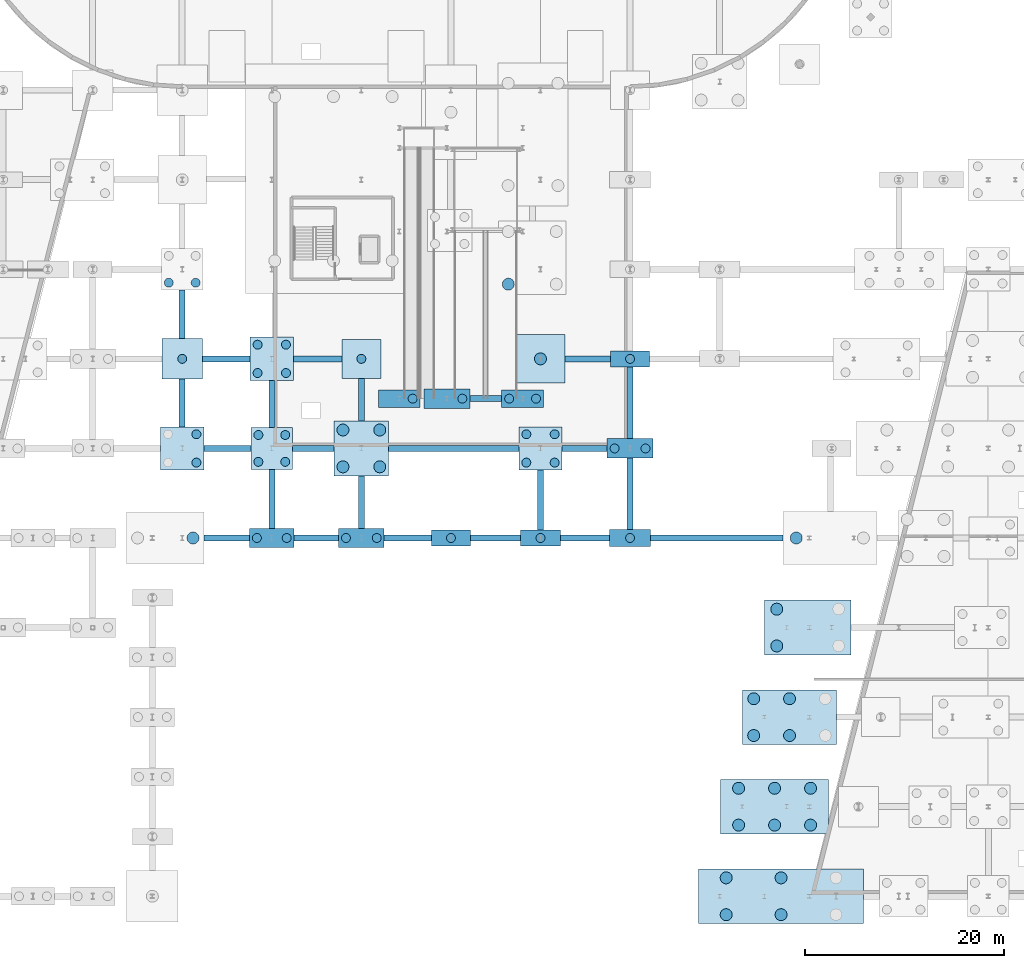
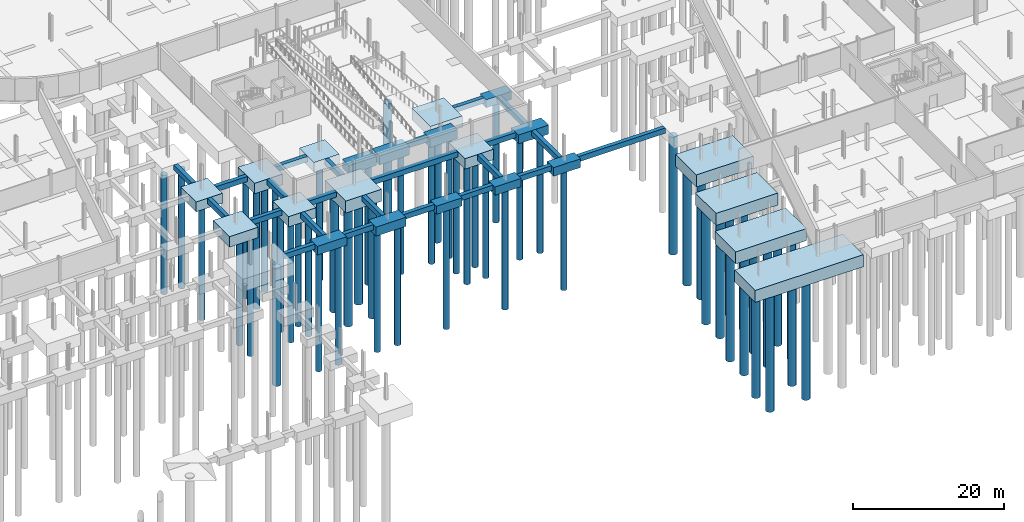
# One storey, part 3 of 42: 56 piles, 45 footings.
"""IFC4 building model written with IfcOpenShell, lengths in metres."""

from ifc_helpers import new_model, si_unit, direction, frame, origin, origin_2d, place, context, subcontext, project, spatial, rectangle, circle, extrude, material, material_profile, profile_set, type_object, element, save


model = new_model("IFC4")

# Units and contexts
model_context = context("Model", 3, precision=1e-05, world=origin(), true_north=direction((0.0, 1.0)))
body_context = subcontext(model_context, "Body", "Model", "MODEL_VIEW")
ifc_project = project(units=[si_unit("LENGTHUNIT", "METRE"), si_unit("AREAUNIT", "SQUARE_METRE"), si_unit("VOLUMEUNIT", "CUBIC_METRE"), si_unit("PLANEANGLEUNIT", "RADIAN"), si_unit("MASSUNIT", "GRAM", prefix="KILO")], contexts=[model_context])

# Site, building, storey
site_placement = place(None, origin())
site = spatial("IfcSite", under=ifc_project, at=site_placement, CompositionType="ELEMENT")
building_placement = place(site_placement, origin())
building = spatial("IfcBuilding", under=site, at=building_placement, Name="Deido Ridge Mobility Hub", CompositionType="ELEMENT")
storey_placement = place(building_placement, frame((0.0, 0.0, -4.199951171875)))
storey = spatial("IfcBuildingStorey", under=building, at=storey_placement, Name="B1", CompositionType="ELEMENT", Elevation=-4.199951171875)

# Footings
ifc_material = material(Name="Concrete C40/50", Category="concrete")
footing_type_1 = type_object("IfcFootingType", Name="FTG-PC-10850X5500X1950", PredefinedType="PILE_CAP", material=ifc_material)
footing_1_placement = place(storey_placement, frame((122.52490234375, 9.0, -1.9501953125), z_axis=(0.0, 0.0, 1.0), x_axis=(1.0, 0.0, 0.0)))
element("IfcFooting", 1, at=footing_1_placement, inside=storey, type_object=footing_type_1, Name="Pile cap PC29", PredefinedType="PILE_CAP", context=body_context, shape_type="SweptSolid", body=[
    extrude(rectangle(XDim=10.85009765625, YDim=5.5, at=origin_2d()), origin(), (0.0, 0.0, 1.0), 1.949951171875),
])
footing_type_2 = type_object("IfcFootingType", Name="FTG-PC-16550X5500X1950", PredefinedType="PILE_CAP", material=ifc_material)
footing_2_placement = place(storey_placement, frame((123.175048828125, 0.0, -1.9501953125), z_axis=(0.0, 0.0, 1.0), x_axis=(1.0, 0.0, 0.0)))
element("IfcFooting", 2, at=footing_2_placement, inside=storey, type_object=footing_type_2, Name="Pile cap PC27", PredefinedType="PILE_CAP", context=body_context, shape_type="SweptSolid", body=[
    extrude(rectangle(XDim=16.550048828125, YDim=5.5, at=origin_2d()), origin(), (0.0, 0.0, 1.0), 1.949951171875),
])
footing_type_3 = type_object("IfcFootingType", Name="FTG-PC-3900X1600X1300", PredefinedType="PILE_CAP", material=ifc_material)
for number, where, z_axis, x_axis, name in (
    (3, (108.0, 54.0, -1.30029296875), (0.0, 0.0, 1.0), (1.0, 0.0, 0.0), "Pile cap PC1"),
    (4, (90.0, 36.0, -1.30029296875), (0.0, 0.0, 1.0), (1.0, 0.0, 0.0), "Pile cap PC1"),
):
    element("IfcFooting", number, at=place(storey_placement, frame(where, z_axis=z_axis, x_axis=x_axis)), inside=storey, type_object=footing_type_3, Name=name, PredefinedType="PILE_CAP", context=body_context, shape_type="SweptSolid", body=[
        extrude(rectangle(XDim=3.89990234375, YDim=1.60009765625, at=origin_2d()), origin(), (0.0, 0.0, 1.0), 1.300048828125),
    ])
footing_type_4 = type_object("IfcFootingType", Name="FTG-PC-3900X3900X1550", PredefinedType="PILE_CAP", material=ifc_material)
footing_3_placement = place(storey_placement, frame((81.0, 54.0, -1.55029296875), z_axis=(0.0, 0.0, 1.0), x_axis=(1.0, 0.0, 0.0)))
element("IfcFooting", 5, at=footing_3_placement, inside=storey, type_object=footing_type_4, Name="Pile cap PC12", PredefinedType="PILE_CAP", context=body_context, shape_type="SweptSolid", body=[
    extrude(rectangle(XDim=3.89990234375, YDim=3.89990234375, at=origin_2d()), origin(), (0.0, 0.0, 1.0), 1.550048828125),
])
footing_type_5 = type_object("IfcFootingType", Name="FTG-PC-4000X1650X1350", PredefinedType="PILE_CAP", material=ifc_material)
footing_4_placement = place(storey_placement, frame((99.0, 36.0, -1.35009765625), z_axis=(0.0, 0.0, 1.0), x_axis=(1.0, 0.0, 0.0)))
element("IfcFooting", 6, at=footing_4_placement, inside=storey, type_object=footing_type_5, Name="Pile cap PC2", PredefinedType="PILE_CAP", context=body_context, shape_type="SweptSolid", body=[
    extrude(rectangle(XDim=4.0, YDim=1.64990234375, at=origin_2d()), origin(), (0.0, 0.0, 1.0), 1.35009765625),
])
footing_type_6 = type_object("IfcFootingType", Name="FTG-PC-4050X4050X1600", PredefinedType="PILE_CAP", material=ifc_material)
footing_5_placement = place(storey_placement, frame((63.0, 54.0, -1.60009765625), z_axis=(0.0, 0.0, 1.0), x_axis=(1.0, 0.0, 0.0)))
element("IfcFooting", 7, at=footing_5_placement, inside=storey, type_object=footing_type_6, Name="Pile cap PC13", PredefinedType="PILE_CAP", context=body_context, shape_type="SweptSolid", body=[
    extrude(rectangle(XDim=4.050048828125, YDim=4.050048828125, at=origin_2d()), origin(), (0.0, 0.0, 1.0), 1.60009765625),
])
footing_type_7 = type_object("IfcFootingType", Name="FTG-PC-4100X1700X1400", PredefinedType="PILE_CAP", material=ifc_material)
footing_6_placement = place(storey_placement, frame((108.0, 36.0, -1.39990234375), z_axis=(0.0, 0.0, 1.0), x_axis=(1.0, 0.0, 0.0)))
element("IfcFooting", 8, at=footing_6_placement, inside=storey, type_object=footing_type_7, Name="Pile cap PC3", PredefinedType="PILE_CAP", context=body_context, shape_type="SweptSolid", body=[
    extrude(rectangle(XDim=4.10009765625, YDim=1.699951171875, at=origin_2d()), origin(), (0.0, 0.0, 1.0), 1.39990234375),
])
footing_type_8 = type_object("IfcFootingType", Name="FTG-PC-4200X1750X1450", PredefinedType="PILE_CAP", material=ifc_material)
for number, where, z_axis, x_axis, name in (
    (9, (84.800048828125, 50.0, -1.4501953125), (0.0, 0.0, 1.0), (1.0, 0.0, 0.0), "Pile cap PC4"),
    (10, (97.199951171875, 50.0, -1.4501953125), (0.0, 0.0, 1.0), (1.0, 0.0, 0.0), "Pile cap PC4"),
):
    element("IfcFooting", number, at=place(storey_placement, frame(where, z_axis=z_axis, x_axis=x_axis)), inside=storey, type_object=footing_type_8, Name=name, PredefinedType="PILE_CAP", context=body_context, shape_type="SweptSolid", body=[
        extrude(rectangle(XDim=4.199951171875, YDim=1.75, at=origin_2d()), origin(), (0.0, 0.0, 1.0), 1.449951171875),
    ])
footing_type_9 = type_object("IfcFootingType", Name="FTG-PC-4200X4200X1650", PredefinedType="PILE_CAP", material=ifc_material)
footing_7_placement = place(storey_placement, frame((72.0, 45.0, -1.64990234375), z_axis=(0.0, 0.0, 1.0), x_axis=(1.0, 0.0, 0.0)))
element("IfcFooting", 11, at=footing_7_placement, inside=storey, type_object=footing_type_9, Name="Pile cap PC14", PredefinedType="PILE_CAP", context=body_context, shape_type="SweptSolid", body=[
    extrude(rectangle(XDim=4.199951171875, YDim=4.199951171875, at=origin_2d()), origin(), (0.0, 0.0, 1.0), 1.64990234375),
])
footing_type_10 = type_object("IfcFootingType", Name="FTG-PC-4350X4350X1700", PredefinedType="PILE_CAP", material=ifc_material)
for number, where, z_axis, x_axis, name in (
    (12, (72.0, 54.0, -1.7001953125), (0.0, 0.0, 1.0), (1.0, 0.0, 0.0), "Pile cap PC15"),
    (13, (99.0, 45.0, -1.7001953125), (0.0, 0.0, 1.0), (1.0, 0.0, 0.0), "Pile cap PC15"),
    (14, (63.0, 45.0, -1.7001953125), (0.0, 0.0, 1.0), (1.0, 0.0, 0.0), "Pile cap PC15"),
):
    element("IfcFooting", number, at=place(storey_placement, frame(where, z_axis=z_axis, x_axis=x_axis)), inside=storey, type_object=footing_type_10, Name=name, PredefinedType="PILE_CAP", context=body_context, shape_type="SweptSolid", body=[
        extrude(rectangle(XDim=4.35009765625, YDim=4.35009765625, at=origin_2d()), origin(), (0.0, 0.0, 1.0), 1.699951171875),
    ])
footing_type_11 = type_object("IfcFootingType", Name="FTG-PC-4500X1900X1400", PredefinedType="PILE_CAP", material=ifc_material)
footing_8_placement = place(storey_placement, frame((72.0, 36.0, -1.39990234375), z_axis=(0.0, 0.0, 1.0), x_axis=(1.0, 0.0, 0.0)))
element("IfcFooting", 15, at=footing_8_placement, inside=storey, type_object=footing_type_11, Name="Pile cap PC7", PredefinedType="PILE_CAP", context=body_context, shape_type="SweptSolid", body=[
    extrude(rectangle(XDim=4.5, YDim=1.89990234375, at=origin_2d()), origin(), (0.0, 0.0, 1.0), 1.39990234375),
])
footing_type_12 = type_object("IfcFootingType", Name="FTG-PC-4600X1950X1450", PredefinedType="PILE_CAP", material=ifc_material)
for number, where, z_axis, x_axis, name in (
    (16, (108.0, 45.0, -1.4501953125), (0.0, 0.0, 1.0), (1.0, 0.0, 0.0), "Pile cap PC8"),
    (17, (89.60009765625, 50.0, -1.4501953125), (0.0, 0.0, 1.0), (1.0, 0.0, 0.0), "Pile cap PC8"),
    (18, (81.0, 36.0, -1.4501953125), (0.0, 0.0, 1.0), (1.0, 0.0, 0.0), "Pile cap PC8"),
):
    element("IfcFooting", number, at=place(storey_placement, frame(where, z_axis=z_axis, x_axis=x_axis)), inside=storey, type_object=footing_type_12, Name=name, PredefinedType="PILE_CAP", context=body_context, shape_type="SweptSolid", body=[
        extrude(rectangle(XDim=4.60009765625, YDim=1.949951171875, at=origin_2d()), origin(), (0.0, 0.0, 1.0), 1.449951171875),
    ])
footing_type_13 = type_object("IfcFootingType", Name="FTG-PC-4900X4900X1800", PredefinedType="PILE_CAP", material=ifc_material)
footing_9_placement = place(storey_placement, frame((99.0, 54.0, -1.80029296875), z_axis=(0.0, 0.0, 1.0), x_axis=(1.0, 0.0, 0.0)))
element("IfcFooting", 19, at=footing_9_placement, inside=storey, type_object=footing_type_13, Name="Pile cap PC17", PredefinedType="PILE_CAP", context=body_context, shape_type="SweptSolid", body=[
    extrude(rectangle(XDim=4.89990234375, YDim=4.89990234375, at=origin_2d()), origin(), (0.0, 0.0, 1.0), 1.800048828125),
])
footing_type_14 = type_object("IfcFootingType", Name="FTG-PC-5500X5500X1950", PredefinedType="PILE_CAP", material=ifc_material)
footing_10_placement = place(storey_placement, frame((81.0, 45.0, -1.9501953125), z_axis=(0.0, 0.0, 1.0), x_axis=(1.0, 0.0, 0.0)))
element("IfcFooting", 20, at=footing_10_placement, inside=storey, type_object=footing_type_14, Name="Pile cap PC16", PredefinedType="PILE_CAP", context=body_context, shape_type="SweptSolid", body=[
    extrude(rectangle(XDim=5.5, YDim=5.5, at=origin_2d()), origin(), (0.0, 0.0, 1.0), 1.949951171875),
])
footing_type_15 = type_object("IfcFootingType", Name="FTG-PC-8700X5500X1950", PredefinedType="PILE_CAP", material=ifc_material)
footing_11_placement = place(storey_placement, frame((125.85009765625, 27.0, -1.9501953125), z_axis=(0.0, 0.0, 1.0), x_axis=(1.0, 0.0, 0.0)))
element("IfcFooting", 21, at=footing_11_placement, inside=storey, type_object=footing_type_15, Name="Pile cap PC32", PredefinedType="PILE_CAP", context=body_context, shape_type="SweptSolid", body=[
    extrude(rectangle(XDim=8.699951171875, YDim=5.5, at=origin_2d()), origin(), (0.0, 0.0, 1.0), 1.949951171875),
])
footing_type_16 = type_object("IfcFootingType", Name="FTG-PC-9450X5500X1950", PredefinedType="PILE_CAP", material=ifc_material)
footing_12_placement = place(storey_placement, frame((124.02490234375, 18.0, -1.9501953125), z_axis=(0.0, 0.0, 1.0), x_axis=(1.0, 0.0, 0.0)))
element("IfcFooting", 22, at=footing_12_placement, inside=storey, type_object=footing_type_16, Name="Pile cap PC30", PredefinedType="PILE_CAP", context=body_context, shape_type="SweptSolid", body=[
    extrude(rectangle(XDim=9.449951171875, YDim=5.5, at=origin_2d()), origin(), (0.0, 0.0, 1.0), 1.949951171875),
])
ifc_material_profile_1 = material_profile(ifc_material, rectangle(XDim=0.60009765625, YDim=0.85009765625, at=origin_2d()), Name="RC GB 600x850")
ifc_profile_set_1 = profile_set([ifc_material_profile_1], Name="Concrete C40/50")
footing_type_17 = type_object("IfcFootingType", Name="GB-RC600X850", PredefinedType="FOOTING_BEAM", material=ifc_profile_set_1)
footing_13_placement = place(storey_placement, frame((65.199951171875, 36.0, -0.425048828125), z_axis=(1.0, 0.0, 0.0), x_axis=(0.0, 1.0, 0.0)))
element("IfcFooting", 23, at=footing_13_placement, inside=storey, type_object=footing_type_17, Name="Ground beam GB1", PredefinedType="FOOTING_BEAM", context=body_context, shape_type="SweptSolid", body=[
    extrude(rectangle(XDim=0.60009765625, YDim=0.85009765625, at=origin_2d()), origin(), (0.0, 0.0, 1.0), 4.550048828125),
])
footing_14_placement = place(storey_placement, frame((74.25, 36.0, -0.425048828125), z_axis=(1.0, 0.0, 0.0), x_axis=(0.0, 1.0, 0.0)))
element("IfcFooting", 24, at=footing_14_placement, inside=storey, type_object=footing_type_17, Name="Ground beam GB1", PredefinedType="FOOTING_BEAM", context=body_context, shape_type="SweptSolid", body=[
    extrude(rectangle(XDim=0.60009765625, YDim=0.85009765625, at=origin_2d()), origin(), (0.0, 0.0, 1.0), 4.449951171875),
])
footing_15_placement = place(storey_placement, frame((83.300048828125, 36.0, -0.425048828125), z_axis=(1.0, 0.0, 0.0), x_axis=(0.0, 1.0, 0.0)))
element("IfcFooting", 25, at=footing_15_placement, inside=storey, type_object=footing_type_17, Name="Ground beam GB1", PredefinedType="FOOTING_BEAM", context=body_context, shape_type="SweptSolid", body=[
    extrude(rectangle(XDim=0.60009765625, YDim=0.85009765625, at=origin_2d()), origin(), (0.0, 0.0, 1.0), 4.75),
])
footing_16_placement = place(storey_placement, frame((91.949951171875, 36.0, -0.425048828125), z_axis=(1.0, 0.0, 0.0), x_axis=(0.0, 1.0, 0.0)))
element("IfcFooting", 26, at=footing_16_placement, inside=storey, type_object=footing_type_17, Name="Ground beam GB1", PredefinedType="FOOTING_BEAM", context=body_context, shape_type="SweptSolid", body=[
    extrude(rectangle(XDim=0.60009765625, YDim=0.85009765625, at=origin_2d()), origin(), (0.0, 0.0, 1.0), 5.050048828125),
])
footing_17_placement = place(storey_placement, frame((101.0, 36.0, -0.425048828125), z_axis=(1.0, 0.0, 0.0), x_axis=(0.0, 1.0, 0.0)))
element("IfcFooting", 27, at=footing_17_placement, inside=storey, type_object=footing_type_17, Name="Ground beam GB1", PredefinedType="FOOTING_BEAM", context=body_context, shape_type="SweptSolid", body=[
    extrude(rectangle(XDim=0.60009765625, YDim=0.85009765625, at=origin_2d()), origin(), (0.0, 0.0, 1.0), 4.949951171875),
])
footing_18_placement = place(storey_placement, frame((110.050048828125, 36.0, -0.425048828125), z_axis=(1.0, 0.0, 0.0), x_axis=(0.0, 1.0, 0.0)))
element("IfcFooting", 28, at=footing_18_placement, inside=storey, type_object=footing_type_17, Name="Ground beam GB1", PredefinedType="FOOTING_BEAM", context=body_context, shape_type="SweptSolid", body=[
    extrude(rectangle(XDim=0.60009765625, YDim=0.85009765625, at=origin_2d()), origin(), (0.0, 0.0, 1.0), 13.300048828125),
])
footing_19_placement = place(storey_placement, frame((65.175048828125, 45.0, -0.425048828125), z_axis=(1.0, 0.0, 0.0), x_axis=(0.0, 1.0, 0.0)))
element("IfcFooting", 29, at=footing_19_placement, inside=storey, type_object=footing_type_17, Name="Ground beam GB1", PredefinedType="FOOTING_BEAM", context=body_context, shape_type="SweptSolid", body=[
    extrude(rectangle(XDim=0.60009765625, YDim=0.85009765625, at=origin_2d()), origin(), (0.0, 0.0, 1.0), 4.724853515625),
])
footing_20_placement = place(storey_placement, frame((74.10009765625, 45.0, -0.425048828125), z_axis=(1.0, 0.0, 0.0), x_axis=(0.0, 1.0, 0.0)))
element("IfcFooting", 30, at=footing_20_placement, inside=storey, type_object=footing_type_17, Name="Ground beam GB1", PredefinedType="FOOTING_BEAM", context=body_context, shape_type="SweptSolid", body=[
    extrude(rectangle(XDim=0.60009765625, YDim=0.85009765625, at=origin_2d()), origin(), (0.0, 0.0, 1.0), 4.14990234375),
])
footing_21_placement = place(storey_placement, frame((83.75, 45.0, -0.425048828125), z_axis=(1.0, 0.0, 0.0), x_axis=(0.0, 1.0, 0.0)))
element("IfcFooting", 31, at=footing_21_placement, inside=storey, type_object=footing_type_17, Name="Ground beam GB1", PredefinedType="FOOTING_BEAM", context=body_context, shape_type="SweptSolid", body=[
    extrude(rectangle(XDim=0.60009765625, YDim=0.85009765625, at=origin_2d()), origin(), (0.0, 0.0, 1.0), 13.074951171875),
])
footing_22_placement = place(storey_placement, frame((101.175048828125, 45.0, -0.425048828125), z_axis=(1.0, 0.0, 0.0), x_axis=(0.0, 1.0, 0.0)))
element("IfcFooting", 32, at=footing_22_placement, inside=storey, type_object=footing_type_17, Name="Ground beam GB1", PredefinedType="FOOTING_BEAM", context=body_context, shape_type="SweptSolid", body=[
    extrude(rectangle(XDim=0.60009765625, YDim=0.85009765625, at=origin_2d()), origin(), (0.0, 0.0, 1.0), 4.52490234375),
])
footing_23_placement = place(storey_placement, frame((65.02490234375, 54.0, -0.425048828125), z_axis=(1.0, 0.0, 0.0), x_axis=(0.0, 1.0, 0.0)))
element("IfcFooting", 33, at=footing_23_placement, inside=storey, type_object=footing_type_17, Name="Ground beam GB1", PredefinedType="FOOTING_BEAM", context=body_context, shape_type="SweptSolid", body=[
    extrude(rectangle(XDim=0.60009765625, YDim=0.85009765625, at=origin_2d()), origin(), (0.0, 0.0, 1.0), 4.800048828125),
])
footing_24_placement = place(storey_placement, frame((74.175048828125, 54.0, -0.425048828125), z_axis=(1.0, 0.0, 0.0), x_axis=(0.0, 1.0, 0.0)))
element("IfcFooting", 34, at=footing_24_placement, inside=storey, type_object=footing_type_17, Name="Ground beam GB1", PredefinedType="FOOTING_BEAM", context=body_context, shape_type="SweptSolid", body=[
    extrude(rectangle(XDim=0.60009765625, YDim=0.85009765625, at=origin_2d()), origin(), (0.0, 0.0, 1.0), 4.875),
])
footing_25_placement = place(storey_placement, frame((101.449951171875, 54.0, -0.425048828125), z_axis=(1.0, 0.0, 0.0), x_axis=(0.0, 1.0, 0.0)))
element("IfcFooting", 35, at=footing_25_placement, inside=storey, type_object=footing_type_17, Name="Ground beam GB1", PredefinedType="FOOTING_BEAM", context=body_context, shape_type="SweptSolid", body=[
    extrude(rectangle(XDim=0.60009765625, YDim=0.85009765625, at=origin_2d()), origin(), (0.0, 0.0, 1.0), 4.60009765625),
])
footing_26_placement = place(storey_placement, frame((91.89990234375, 50.0, -0.425048828125), z_axis=(1.0, 0.0, 0.0), x_axis=(0.0, 1.0, 0.0)))
element("IfcFooting", 36, at=footing_26_placement, inside=storey, type_object=footing_type_17, Name="Ground beam GB1", PredefinedType="FOOTING_BEAM", context=body_context, shape_type="SweptSolid", body=[
    extrude(rectangle(XDim=0.60009765625, YDim=0.85009765625, at=origin_2d()), origin(), (0.0, 0.0, 1.0), 3.2001953125),
])
footing_27_placement = place(storey_placement, frame((72.0, 36.949951171875, -0.425048828125), z_axis=(0.0, 1.0, 0.0), x_axis=(-1.0, 0.0, 0.0)))
element("IfcFooting", 37, at=footing_27_placement, inside=storey, type_object=footing_type_17, Name="Ground beam GB1", PredefinedType="FOOTING_BEAM", context=body_context, shape_type="SweptSolid", body=[
    extrude(rectangle(XDim=0.60009765625, YDim=0.85009765625, at=origin_2d()), origin(), (0.0, 0.0, 1.0), 5.949951171875),
])
footing_28_placement = place(storey_placement, frame((72.0, 47.10009765625, -0.425048828125), z_axis=(0.0, 1.0, 0.0), x_axis=(-1.0, 0.0, 0.0)))
element("IfcFooting", 38, at=footing_28_placement, inside=storey, type_object=footing_type_17, Name="Ground beam GB1", PredefinedType="FOOTING_BEAM", context=body_context, shape_type="SweptSolid", body=[
    extrude(rectangle(XDim=0.60009765625, YDim=0.85009765625, at=origin_2d()), origin(), (0.0, 0.0, 1.0), 4.724853515625),
])
footing_29_placement = place(storey_placement, frame((81.0, 36.97509765625, -0.425048828125), z_axis=(0.0, 1.0, 0.0), x_axis=(-1.0, 0.0, 0.0)))
element("IfcFooting", 39, at=footing_29_placement, inside=storey, type_object=footing_type_17, Name="Ground beam GB1", PredefinedType="FOOTING_BEAM", context=body_context, shape_type="SweptSolid", body=[
    extrude(rectangle(XDim=0.60009765625, YDim=0.85009765625, at=origin_2d()), origin(), (0.0, 0.0, 1.0), 5.27490234375),
])
footing_30_placement = place(storey_placement, frame((81.0, 47.75, -0.425048828125), z_axis=(0.0, 1.0, 0.0), x_axis=(-1.0, 0.0, 0.0)))
element("IfcFooting", 40, at=footing_30_placement, inside=storey, type_object=footing_type_17, Name="Ground beam GB1", PredefinedType="FOOTING_BEAM", context=body_context, shape_type="SweptSolid", body=[
    extrude(rectangle(XDim=0.60009765625, YDim=0.85009765625, at=origin_2d()), origin(), (0.0, 0.0, 1.0), 4.300048828125),
])
footing_31_placement = place(storey_placement, frame((99.0, 36.824951171875, -0.425048828125), z_axis=(0.0, 1.0, 0.0), x_axis=(-1.0, 0.0, 0.0)))
element("IfcFooting", 41, at=footing_31_placement, inside=storey, type_object=footing_type_17, Name="Ground beam GB1", PredefinedType="FOOTING_BEAM", context=body_context, shape_type="SweptSolid", body=[
    extrude(rectangle(XDim=0.60009765625, YDim=0.85009765625, at=origin_2d()), origin(), (0.0, 0.0, 1.0), 6.0),
])
footing_32_placement = place(storey_placement, frame((108.0, 36.85009765625, -0.425048828125), z_axis=(0.0, 1.0, 0.0), x_axis=(-1.0, 0.0, 0.0)))
element("IfcFooting", 42, at=footing_32_placement, inside=storey, type_object=footing_type_17, Name="Ground beam GB1", PredefinedType="FOOTING_BEAM", context=body_context, shape_type="SweptSolid", body=[
    extrude(rectangle(XDim=0.60009765625, YDim=0.85009765625, at=origin_2d()), origin(), (0.0, 0.0, 1.0), 7.1748046875),
])
footing_33_placement = place(storey_placement, frame((108.0, 45.97509765625, -0.425048828125), z_axis=(0.0, 1.0, 0.0), x_axis=(-1.0, 0.0, 0.0)))
element("IfcFooting", 43, at=footing_33_placement, inside=storey, type_object=footing_type_17, Name="Ground beam GB1", PredefinedType="FOOTING_BEAM", context=body_context, shape_type="SweptSolid", body=[
    extrude(rectangle(XDim=0.60009765625, YDim=0.85009765625, at=origin_2d()), origin(), (0.0, 0.0, 1.0), 7.224853515625),
])
footing_34_placement = place(storey_placement, frame((63.0, 47.175048828125, -0.425048828125), z_axis=(0.0, 1.0, 0.0), x_axis=(-1.0, 0.0, 0.0)))
element("IfcFooting", 44, at=footing_34_placement, inside=storey, type_object=footing_type_17, Name="Ground beam GB1", PredefinedType="FOOTING_BEAM", context=body_context, shape_type="SweptSolid", body=[
    extrude(rectangle(XDim=0.60009765625, YDim=0.85009765625, at=origin_2d()), origin(), (0.0, 0.0, 1.0), 4.800048828125),
])
footing_35_placement = place(storey_placement, frame((63.0, 56.02490234375, -0.425048828125), z_axis=(0.0, 1.0, 0.0), x_axis=(-1.0, 0.0, 0.0)))
element("IfcFooting", 45, at=footing_35_placement, inside=storey, type_object=footing_type_17, Name="Ground beam GB1", PredefinedType="FOOTING_BEAM", context=body_context, shape_type="SweptSolid", body=[
    extrude(rectangle(XDim=0.60009765625, YDim=0.85009765625, at=origin_2d()), origin(), (0.0, 0.0, 1.0), 4.875),
])

# Piles
ifc_material_profile_2 = material_profile(ifc_material, circle(Radius=0.60009765625, at=origin_2d()), Name="BORED PILE D1200")
ifc_profile_set_2 = profile_set([ifc_material_profile_2], Name="Concrete C40/50")
pile_type_1 = type_object("IfcPileType", Name="PILE-BORED-D1200", PredefinedType="BORED", material=ifc_profile_set_2)
pile_1_placement = place(storey_placement, frame((64.085693359375, 36.0, -1.85009765625), z_axis=(0.0, 0.0, -1.0), x_axis=(1.0, 0.0, 0.0)))
element("IfcPile", 46, at=pile_1_placement, inside=storey, type_object=pile_type_1, Name="Bored pile P2", PredefinedType="BORED", context=body_context, shape_type="SweptSolid", body=[
    extrude(circle(Radius=0.60009765625, at=origin_2d()), origin(), (0.0, 0.0, 1.0), 18.949951171875),
])
for number, where, z_axis, x_axis, name in (
    (47, (79.14990234375, 43.14990234375, -1.800048828125), (0.0, 0.0, -1.0), (1.0, 0.0, 0.0), "Bored pile P2"),
    (48, (82.85009765625, 43.14990234375, -1.800048828125), (0.0, 0.0, -1.0), (1.0, 0.0, 0.0), "Bored pile P2"),
    (49, (79.14990234375, 46.85009765625, -1.800048828125), (0.0, 0.0, -1.0), (1.0, 0.0, 0.0), "Bored pile P2"),
    (50, (82.85009765625, 46.85009765625, -1.800048828125), (0.0, 0.0, -1.0), (1.0, 0.0, 0.0), "Bored pile P2"),
):
    element("IfcPile", number, at=place(storey_placement, frame(where, z_axis=z_axis, x_axis=x_axis)), inside=storey, type_object=pile_type_1, Name=name, PredefinedType="BORED", context=body_context, shape_type="SweptSolid", body=[
        extrude(circle(Radius=0.60009765625, at=origin_2d()), origin(), (0.0, 0.0, 1.0), 19.0),
    ])
pile_2_placement = place(storey_placement, frame((99.0, 54.0, -1.650146484375), z_axis=(0.0, 0.0, -1.0), x_axis=(1.0, 0.0, 0.0)))
element("IfcPile", 51, at=pile_2_placement, inside=storey, type_object=pile_type_1, Name="Bored pile P2", PredefinedType="BORED", context=body_context, shape_type="SweptSolid", body=[
    extrude(circle(Radius=0.60009765625, at=origin_2d()), origin(), (0.0, 0.0, 1.0), 19.14990234375),
])
pile_3_placement = place(storey_placement, frame((95.764404296875, 61.507080078125, -1.699951171875), z_axis=(0.0, 0.0, -1.0), x_axis=(1.0, 0.0, 0.0)))
element("IfcPile", 52, at=pile_3_placement, inside=storey, type_object=pile_type_1, Name="Bored pile P2", PredefinedType="BORED", context=body_context, shape_type="SweptSolid", body=[
    extrude(circle(Radius=0.60009765625, at=origin_2d()), origin(), (0.0, 0.0, 1.0), 19.10009765625),
])
for number, where, z_axis, x_axis, name in (
    (53, (117.658203125, -1.85009765625, -1.800048828125), (0.0, 0.0, -1.0), (1.0, 0.0, 0.0), "Bored pile P2"),
    (54, (123.175048828125, -1.85009765625, -1.800048828125), (0.0, 0.0, -1.0), (1.0, 0.0, 0.0), "Bored pile P2"),
    (55, (117.658203125, 1.85009765625, -1.800048828125), (0.0, 0.0, -1.0), (1.0, 0.0, 0.0), "Bored pile P2"),
    (56, (123.175048828125, 1.85009765625, -1.800048828125), (0.0, 0.0, -1.0), (1.0, 0.0, 0.0), "Bored pile P2"),
    (57, (118.908203125, 7.14990234375, -1.800048828125), (0.0, 0.0, -1.0), (1.0, 0.0, 0.0), "Bored pile P2"),
    (58, (122.52490234375, 7.14990234375, -1.800048828125), (0.0, 0.0, -1.0), (1.0, 0.0, 0.0), "Bored pile P2"),
    (59, (126.1416015625, 7.14990234375, -1.800048828125), (0.0, 0.0, -1.0), (1.0, 0.0, 0.0), "Bored pile P2"),
    (60, (118.908203125, 10.85009765625, -1.800048828125), (0.0, 0.0, -1.0), (1.0, 0.0, 0.0), "Bored pile P2"),
    (61, (122.52490234375, 10.85009765625, -1.800048828125), (0.0, 0.0, -1.0), (1.0, 0.0, 0.0), "Bored pile P2"),
    (62, (126.1416015625, 10.85009765625, -1.800048828125), (0.0, 0.0, -1.0), (1.0, 0.0, 0.0), "Bored pile P2"),
    (63, (120.425048828125, 16.14990234375, -1.800048828125), (0.0, 0.0, -1.0), (1.0, 0.0, 0.0), "Bored pile P2"),
    (64, (124.02490234375, 16.14990234375, -1.800048828125), (0.0, 0.0, -1.0), (1.0, 0.0, 0.0), "Bored pile P2"),
    (65, (120.425048828125, 19.85009765625, -1.800048828125), (0.0, 0.0, -1.0), (1.0, 0.0, 0.0), "Bored pile P2"),
    (66, (124.02490234375, 19.85009765625, -1.800048828125), (0.0, 0.0, -1.0), (1.0, 0.0, 0.0), "Bored pile P2"),
    (67, (122.742919921875, 25.14990234375, -1.800048828125), (0.0, 0.0, -1.0), (1.0, 0.0, 0.0), "Bored pile P2"),
    (68, (122.742919921875, 28.85009765625, -1.800048828125), (0.0, 0.0, -1.0), (1.0, 0.0, 0.0), "Bored pile P2"),
):
    element("IfcPile", number, at=place(storey_placement, frame(where, z_axis=z_axis, x_axis=x_axis)), inside=storey, type_object=pile_type_1, Name=name, PredefinedType="BORED", context=body_context, shape_type="SweptSolid", body=[
        extrude(circle(Radius=0.60009765625, at=origin_2d()), origin(), (0.0, 0.0, 1.0), 19.0),
    ])
pile_4_placement = place(storey_placement, frame((124.699951171875, 36.0, -1.75), z_axis=(0.0, 0.0, -1.0), x_axis=(1.0, 0.0, 0.0)))
element("IfcPile", 69, at=pile_4_placement, inside=storey, type_object=pile_type_1, Name="Bored pile P2", PredefinedType="BORED", context=body_context, shape_type="SweptSolid", body=[
    extrude(circle(Radius=0.60009765625, at=origin_2d()), origin(), (0.0, 0.0, 1.0), 19.050048828125),
])
ifc_material_profile_3 = material_profile(ifc_material, circle(Radius=0.449951171875, at=origin_2d()), Name="BORED PILE D900")
ifc_profile_set_3 = profile_set([ifc_material_profile_3], Name="Concrete C40/50")
pile_type_2 = type_object("IfcPileType", Name="PILE-BORED-D900", PredefinedType="BORED", material=ifc_profile_set_3)
for number, where, z_axis, x_axis, name in (
    (70, (70.64990234375, 43.64990234375, -1.5), (0.0, 0.0, -1.0), (1.0, 0.0, 0.0), "Bored pile P1"),
    (71, (73.35009765625, 43.64990234375, -1.5), (0.0, 0.0, -1.0), (1.0, 0.0, 0.0), "Bored pile P1"),
    (72, (70.64990234375, 46.35009765625, -1.5), (0.0, 0.0, -1.0), (1.0, 0.0, 0.0), "Bored pile P1"),
    (73, (73.35009765625, 46.35009765625, -1.5), (0.0, 0.0, -1.0), (1.0, 0.0, 0.0), "Bored pile P1"),
):
    element("IfcPile", number, at=place(storey_placement, frame(where, z_axis=z_axis, x_axis=x_axis)), inside=storey, type_object=pile_type_2, Name=name, PredefinedType="BORED", context=body_context, shape_type="SweptSolid", body=[
        extrude(circle(Radius=0.449951171875, at=origin_2d()), origin(), (0.0, 0.0, 1.0), 19.300048828125),
    ])
for number, where, z_axis, x_axis, name in (
    (74, (70.574951171875, 52.574951171875, -1.550048828125), (0.0, 0.0, -1.0), (1.0, 0.0, 0.0), "Bored pile P1"),
    (75, (73.425048828125, 52.574951171875, -1.550048828125), (0.0, 0.0, -1.0), (1.0, 0.0, 0.0), "Bored pile P1"),
    (76, (70.574951171875, 55.425048828125, -1.550048828125), (0.0, 0.0, -1.0), (1.0, 0.0, 0.0), "Bored pile P1"),
    (77, (73.425048828125, 55.425048828125, -1.550048828125), (0.0, 0.0, -1.0), (1.0, 0.0, 0.0), "Bored pile P1"),
):
    element("IfcPile", number, at=place(storey_placement, frame(where, z_axis=z_axis, x_axis=x_axis)), inside=storey, type_object=pile_type_2, Name=name, PredefinedType="BORED", context=body_context, shape_type="SweptSolid", body=[
        extrude(circle(Radius=0.449951171875, at=origin_2d()), origin(), (0.0, 0.0, 1.0), 19.25),
    ])
pile_5_placement = place(storey_placement, frame((81.0, 54.0, -1.400146484375), z_axis=(0.0, 0.0, -1.0), x_axis=(1.0, 0.0, 0.0)))
element("IfcPile", 78, at=pile_5_placement, inside=storey, type_object=pile_type_2, Name="Bored pile P1", PredefinedType="BORED", context=body_context, shape_type="SweptSolid", body=[
    extrude(circle(Radius=0.449951171875, at=origin_2d()), origin(), (0.0, 0.0, 1.0), 19.39990234375),
])
for number, where, z_axis, x_axis, name in (
    (79, (97.574951171875, 43.574951171875, -1.550048828125), (0.0, 0.0, -1.0), (1.0, 0.0, 0.0), "Bored pile P1"),
    (80, (100.425048828125, 43.574951171875, -1.550048828125), (0.0, 0.0, -1.0), (1.0, 0.0, 0.0), "Bored pile P1"),
    (81, (97.574951171875, 46.425048828125, -1.550048828125), (0.0, 0.0, -1.0), (1.0, 0.0, 0.0), "Bored pile P1"),
    (82, (100.425048828125, 46.425048828125, -1.550048828125), (0.0, 0.0, -1.0), (1.0, 0.0, 0.0), "Bored pile P1"),
):
    element("IfcPile", number, at=place(storey_placement, frame(where, z_axis=z_axis, x_axis=x_axis)), inside=storey, type_object=pile_type_2, Name=name, PredefinedType="BORED", context=body_context, shape_type="SweptSolid", body=[
        extrude(circle(Radius=0.449951171875, at=origin_2d()), origin(), (0.0, 0.0, 1.0), 19.25),
    ])
for number, where, z_axis, x_axis, name in (
    (83, (106.449951171875, 45.0, -1.300048828125), (0.0, 0.0, -1.0), (1.0, 0.0, 0.0), "Bored pile P1"),
    (84, (109.550048828125, 45.0, -1.300048828125), (0.0, 0.0, -1.0), (1.0, 0.0, 0.0), "Bored pile P1"),
):
    element("IfcPile", number, at=place(storey_placement, frame(where, z_axis=z_axis, x_axis=x_axis)), inside=storey, type_object=pile_type_2, Name=name, PredefinedType="BORED", context=body_context, shape_type="SweptSolid", body=[
        extrude(circle(Radius=0.449951171875, at=origin_2d()), origin(), (0.0, 0.0, 1.0), 19.5),
    ])
pile_6_placement = place(storey_placement, frame((108.0, 54.0, -1.150146484375), z_axis=(0.0, 0.0, -1.0), x_axis=(1.0, 0.0, 0.0)))
element("IfcPile", 85, at=pile_6_placement, inside=storey, type_object=pile_type_2, Name="Bored pile P1", PredefinedType="BORED", context=body_context, shape_type="SweptSolid", body=[
    extrude(circle(Radius=0.449951171875, at=origin_2d()), origin(), (0.0, 0.0, 1.0), 19.64990234375),
])
for number, where, z_axis, x_axis, name in (
    (86, (86.14990234375, 50.0, -1.300048828125), (0.0, 0.0, -1.0), (1.0, 0.0, 0.0), "Bored pile P1"),
    (87, (91.14990234375, 50.0, -1.300048828125), (0.0, 0.0, -1.0), (1.0, 0.0, 0.0), "Bored pile P1"),
    (88, (95.85009765625, 50.0, -1.300048828125), (0.0, 0.0, -1.0), (1.0, 0.0, 0.0), "Bored pile P1"),
    (89, (98.550048828125, 50.0, -1.300048828125), (0.0, 0.0, -1.0), (1.0, 0.0, 0.0), "Bored pile P1"),
):
    element("IfcPile", number, at=place(storey_placement, frame(where, z_axis=z_axis, x_axis=x_axis)), inside=storey, type_object=pile_type_2, Name=name, PredefinedType="BORED", context=body_context, shape_type="SweptSolid", body=[
        extrude(circle(Radius=0.449951171875, at=origin_2d()), origin(), (0.0, 0.0, 1.0), 19.5),
    ])
pile_7_placement = place(storey_placement, frame((63.0, 54.0, -1.449951171875), z_axis=(0.0, 0.0, -1.0), x_axis=(1.0, 0.0, 0.0)))
element("IfcPile", 90, at=pile_7_placement, inside=storey, type_object=pile_type_2, Name="Bored pile P1", PredefinedType="BORED", context=body_context, shape_type="SweptSolid", body=[
    extrude(circle(Radius=0.449951171875, at=origin_2d()), origin(), (0.0, 0.0, 1.0), 19.35009765625),
])
for number, where, z_axis, x_axis, name in (
    (91, (61.64990234375, 61.64990234375, -1.5), (0.0, 0.0, -1.0), (1.0, 0.0, 0.0), "Bored pile P1"),
    (92, (64.35009765625, 61.64990234375, -1.5), (0.0, 0.0, -1.0), (1.0, 0.0, 0.0), "Bored pile P1"),
):
    element("IfcPile", number, at=place(storey_placement, frame(where, z_axis=z_axis, x_axis=x_axis)), inside=storey, type_object=pile_type_2, Name=name, PredefinedType="BORED", context=body_context, shape_type="SweptSolid", body=[
        extrude(circle(Radius=0.449951171875, at=origin_2d()), origin(), (0.0, 0.0, 1.0), 19.300048828125),
    ])
for number, where, z_axis, x_axis, name in (
    (93, (64.425048828125, 43.574951171875, -1.550048828125), (0.0, 0.0, -1.0), (1.0, 0.0, 0.0), "Bored pile P1"),
    (94, (64.425048828125, 46.425048828125, -1.550048828125), (0.0, 0.0, -1.0), (1.0, 0.0, 0.0), "Bored pile P1"),
):
    element("IfcPile", number, at=place(storey_placement, frame(where, z_axis=z_axis, x_axis=x_axis)), inside=storey, type_object=pile_type_2, Name=name, PredefinedType="BORED", context=body_context, shape_type="SweptSolid", body=[
        extrude(circle(Radius=0.449951171875, at=origin_2d()), origin(), (0.0, 0.0, 1.0), 19.25),
    ])
for number, where, z_axis, x_axis, name in (
    (95, (70.5, 36.0, -1.25), (0.0, 0.0, -1.0), (1.0, 0.0, 0.0), "Bored pile P1"),
    (96, (73.5, 36.0, -1.25), (0.0, 0.0, -1.0), (1.0, 0.0, 0.0), "Bored pile P1"),
):
    element("IfcPile", number, at=place(storey_placement, frame(where, z_axis=z_axis, x_axis=x_axis)), inside=storey, type_object=pile_type_2, Name=name, PredefinedType="BORED", context=body_context, shape_type="SweptSolid", body=[
        extrude(circle(Radius=0.449951171875, at=origin_2d()), origin(), (0.0, 0.0, 1.0), 19.550048828125),
    ])
for number, where, z_axis, x_axis, name in (
    (97, (79.449951171875, 36.0, -1.300048828125), (0.0, 0.0, -1.0), (1.0, 0.0, 0.0), "Bored pile P1"),
    (98, (82.550048828125, 36.0, -1.300048828125), (0.0, 0.0, -1.0), (1.0, 0.0, 0.0), "Bored pile P1"),
):
    element("IfcPile", number, at=place(storey_placement, frame(where, z_axis=z_axis, x_axis=x_axis)), inside=storey, type_object=pile_type_2, Name=name, PredefinedType="BORED", context=body_context, shape_type="SweptSolid", body=[
        extrude(circle(Radius=0.449951171875, at=origin_2d()), origin(), (0.0, 0.0, 1.0), 19.5),
    ])
pile_8_placement = place(storey_placement, frame((90.0, 36.0, -1.150146484375), z_axis=(0.0, 0.0, -1.0), x_axis=(1.0, 0.0, 0.0)))
element("IfcPile", 99, at=pile_8_placement, inside=storey, type_object=pile_type_2, Name="Bored pile P1", PredefinedType="BORED", context=body_context, shape_type="SweptSolid", body=[
    extrude(circle(Radius=0.449951171875, at=origin_2d()), origin(), (0.0, 0.0, 1.0), 19.64990234375),
])
pile_9_placement = place(storey_placement, frame((99.0, 36.0, -1.199951171875), z_axis=(0.0, 0.0, -1.0), x_axis=(1.0, 0.0, 0.0)))
element("IfcPile", 100, at=pile_9_placement, inside=storey, type_object=pile_type_2, Name="Bored pile P1", PredefinedType="BORED", context=body_context, shape_type="SweptSolid", body=[
    extrude(circle(Radius=0.449951171875, at=origin_2d()), origin(), (0.0, 0.0, 1.0), 19.60009765625),
])
pile_10_placement = place(storey_placement, frame((108.0, 36.0, -1.25), z_axis=(0.0, 0.0, -1.0), x_axis=(1.0, 0.0, 0.0)))
element("IfcPile", 101, at=pile_10_placement, inside=storey, type_object=pile_type_2, Name="Bored pile P1", PredefinedType="BORED", context=body_context, shape_type="SweptSolid", body=[
    extrude(circle(Radius=0.449951171875, at=origin_2d()), origin(), (0.0, 0.0, 1.0), 19.550048828125),
])

save(model, "model.ifc")
